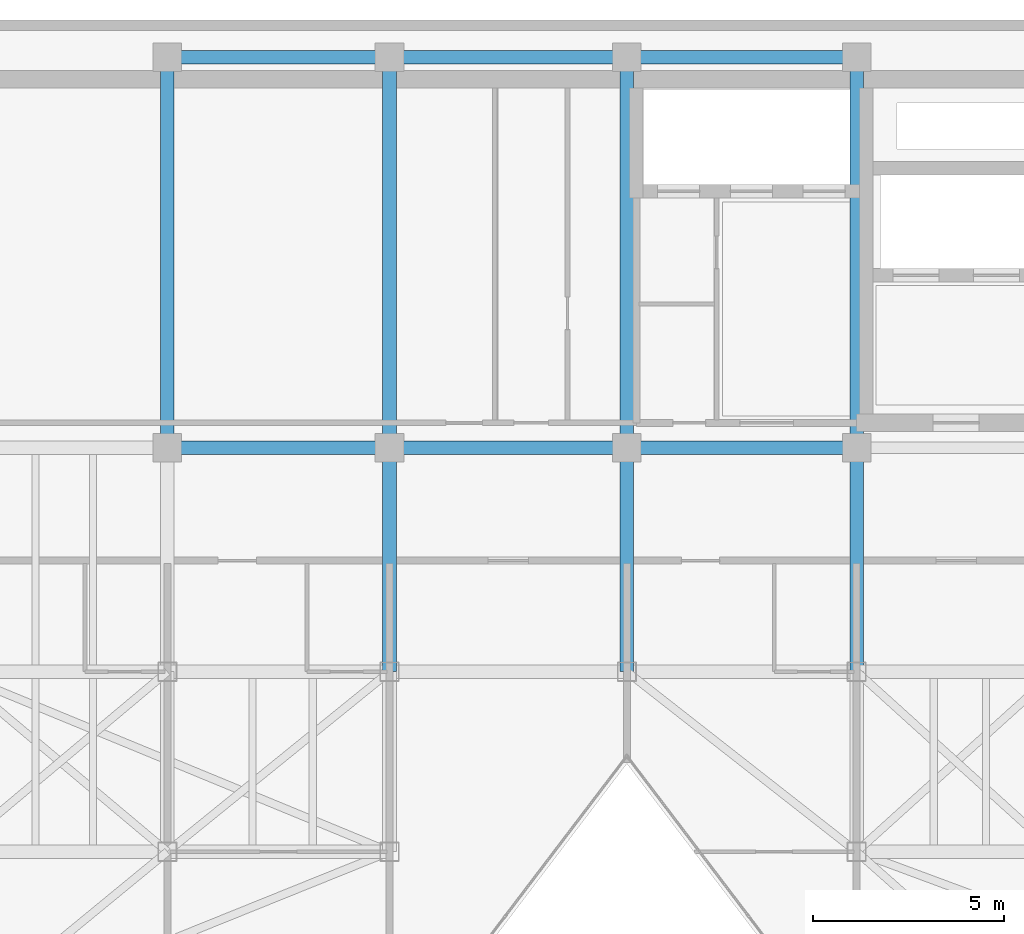
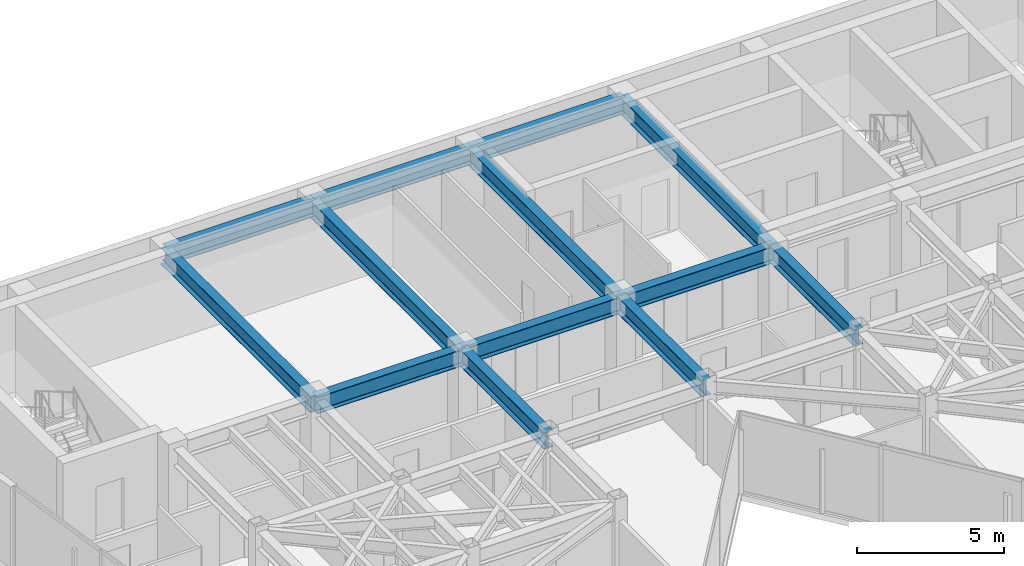
# One storey, part 11 of 20: 13 beams.
"""IFC4 building model written with IfcOpenShell, lengths in metres."""

from ifc_helpers import new_model, si_unit, direction, frame, origin, origin_2d, place, context, subcontext, project, spatial, i_section, extrude, material, material_profile, profile_set, type_object, element, save


model = new_model("IFC4")

# Units and contexts
model_context = context("Model", 3, precision=1e-05, world=origin(), true_north=direction((0.0, 1.0)))
body_context = subcontext(model_context, "Body", "Model", "MODEL_VIEW")
ifc_project = project(units=[si_unit("LENGTHUNIT", "METRE"), si_unit("AREAUNIT", "SQUARE_METRE"), si_unit("VOLUMEUNIT", "CUBIC_METRE"), si_unit("PLANEANGLEUNIT", "RADIAN"), si_unit("MASSUNIT", "GRAM", prefix="KILO")], contexts=[model_context])

# Site, building, storey
site_placement = place(None, origin())
site = spatial("IfcSite", under=ifc_project, at=site_placement, CompositionType="ELEMENT")
building_placement = place(site_placement, origin())
building = spatial("IfcBuilding", under=site, at=building_placement, Name="Kravanh Interchange Tower", CompositionType="ELEMENT")
storey_placement = place(building_placement, frame((0.0, 0.0, 238.199951171875)))
storey = spatial("IfcBuildingStorey", under=building, at=storey_placement, Name="L57", CompositionType="ELEMENT", Elevation=238.199951171875)

# Beams
ifc_material = material(Name="Structural Steel S355", Category="steel")
ifc_material_profile = material_profile(ifc_material, i_section(OverallWidth=0.35498046875, OverallDepth=0.696044921875, WebThickness=0.015380859375, FlangeThickness=0.02490234375, FilletRadius=0.02392578125, at=origin_2d()), Name="W27X146")
ifc_profile_set = profile_set([ifc_material_profile], Name="Structural Steel S355")
beam_type = type_object("IfcBeamType", Name="Floor Beam W27X146 Structural Steel S355", PredefinedType="BEAM", material=ifc_profile_set)
for number, where, z_axis, x_axis, name in (
    (1, (44.800048828125, 31.5, 3.011962890625), (0.0, 1.0, 0.0), (-1.0, 0.0, 0.0), "L57 Primary Floor Girder 1"),
    (2, (50.800048828125, 31.5, 3.011962890625), (0.0, 1.0, 0.0), (-1.0, 0.0, 0.0), "L57 Primary Floor Girder 7"),
    (3, (38.60009765625, 31.5, 3.011962890625), (0.0, 1.0, 0.0), (-1.0, 0.0, 0.0), "L57 Primary Floor Girder 19"),
):
    element("IfcBeam", number, at=place(storey_placement, frame(where, z_axis=z_axis, x_axis=x_axis)), inside=storey, type_object=beam_type, Name=name, PredefinedType="BEAM", context=body_context, shape_type="SweptSolid", body=[
        extrude(i_section(OverallWidth=0.35498046875, OverallDepth=0.696044921875, WebThickness=0.015380859375, FlangeThickness=0.02490234375, FilletRadius=0.02392578125, at=origin_2d()), origin(), (0.0, 0.0, 1.0), 5.85009765625),
    ])
beam_1_placement = place(storey_placement, frame((50.800048828125, 47.550048828125, 3.011962890625), z_axis=(-1.0, 0.0, 0.0), x_axis=(0.0, -1.0, 0.0)))
element("IfcBeam", 4, at=beam_1_placement, inside=storey, type_object=beam_type, Name="L57 Primary Floor Girder 49", PredefinedType="BEAM", context=body_context, shape_type="SweptSolid", body=[
    extrude(i_section(OverallWidth=0.35498046875, OverallDepth=0.696044921875, WebThickness=0.015380859375, FlangeThickness=0.02490234375, FilletRadius=0.02392578125, at=origin_2d()), origin(), (0.0, 0.0, 1.0), 6.0),
])
beam_2_placement = place(storey_placement, frame((50.800048828125, 47.550048828125, 3.011962890625), z_axis=(0.0, -1.0, 0.0), x_axis=(1.0, 0.0, 0.0)))
element("IfcBeam", 5, at=beam_2_placement, inside=storey, type_object=beam_type, Name="L57 Primary Floor Girder 50", PredefinedType="BEAM", context=body_context, shape_type="SweptSolid", body=[
    extrude(i_section(OverallWidth=0.35498046875, OverallDepth=0.696044921875, WebThickness=0.015380859375, FlangeThickness=0.02490234375, FilletRadius=0.02392578125, at=origin_2d()), origin(), (0.0, 0.0, 1.0), 10.199951171875),
])
beam_3_placement = place(storey_placement, frame((50.800048828125, 37.35009765625, 3.011962890625), z_axis=(-1.0, 0.0, 0.0), x_axis=(0.0, -1.0, 0.0)))
element("IfcBeam", 6, at=beam_3_placement, inside=storey, type_object=beam_type, Name="L57 Primary Floor Girder 51", PredefinedType="BEAM", context=body_context, shape_type="SweptSolid", body=[
    extrude(i_section(OverallWidth=0.35498046875, OverallDepth=0.696044921875, WebThickness=0.015380859375, FlangeThickness=0.02490234375, FilletRadius=0.02392578125, at=origin_2d()), origin(), (0.0, 0.0, 1.0), 6.0),
])
beam_4_placement = place(storey_placement, frame((44.800048828125, 37.35009765625, 3.011962890625), z_axis=(-1.0, 0.0, 0.0), x_axis=(0.0, -1.0, 0.0)))
element("IfcBeam", 7, at=beam_4_placement, inside=storey, type_object=beam_type, Name="L57 Primary Floor Girder 52", PredefinedType="BEAM", context=body_context, shape_type="SweptSolid", body=[
    extrude(i_section(OverallWidth=0.35498046875, OverallDepth=0.696044921875, WebThickness=0.015380859375, FlangeThickness=0.02490234375, FilletRadius=0.02392578125, at=origin_2d()), origin(), (0.0, 0.0, 1.0), 6.199951171875),
])
beam_5_placement = place(storey_placement, frame((44.800048828125, 37.35009765625, 3.011962890625), z_axis=(0.0, 1.0, 0.0), x_axis=(-1.0, 0.0, 0.0)))
element("IfcBeam", 8, at=beam_5_placement, inside=storey, type_object=beam_type, Name="L57 Primary Floor Girder 53", PredefinedType="BEAM", context=body_context, shape_type="SweptSolid", body=[
    extrude(i_section(OverallWidth=0.35498046875, OverallDepth=0.696044921875, WebThickness=0.015380859375, FlangeThickness=0.02490234375, FilletRadius=0.02392578125, at=origin_2d()), origin(), (0.0, 0.0, 1.0), 10.199951171875),
])
beam_6_placement = place(storey_placement, frame((44.800048828125, 47.550048828125, 3.011962890625), z_axis=(-1.0, 0.0, 0.0), x_axis=(0.0, -1.0, 0.0)))
element("IfcBeam", 9, at=beam_6_placement, inside=storey, type_object=beam_type, Name="L57 Primary Floor Girder 54", PredefinedType="BEAM", context=body_context, shape_type="SweptSolid", body=[
    extrude(i_section(OverallWidth=0.35498046875, OverallDepth=0.696044921875, WebThickness=0.015380859375, FlangeThickness=0.02490234375, FilletRadius=0.02392578125, at=origin_2d()), origin(), (0.0, 0.0, 1.0), 6.199951171875),
])
beam_7_placement = place(storey_placement, frame((38.60009765625, 37.35009765625, 3.011962890625), z_axis=(-1.0, 0.0, 0.0), x_axis=(0.0, -1.0, 0.0)))
element("IfcBeam", 10, at=beam_7_placement, inside=storey, type_object=beam_type, Name="L57 Primary Floor Girder 55", PredefinedType="BEAM", context=body_context, shape_type="SweptSolid", body=[
    extrude(i_section(OverallWidth=0.35498046875, OverallDepth=0.696044921875, WebThickness=0.015380859375, FlangeThickness=0.02490234375, FilletRadius=0.02392578125, at=origin_2d()), origin(), (0.0, 0.0, 1.0), 5.800048828125),
])
beam_8_placement = place(storey_placement, frame((38.60009765625, 37.35009765625, 3.011962890625), z_axis=(0.0, 1.0, 0.0), x_axis=(-1.0, 0.0, 0.0)))
element("IfcBeam", 11, at=beam_8_placement, inside=storey, type_object=beam_type, Name="L57 Primary Floor Girder 56", PredefinedType="BEAM", context=body_context, shape_type="SweptSolid", body=[
    extrude(i_section(OverallWidth=0.35498046875, OverallDepth=0.696044921875, WebThickness=0.015380859375, FlangeThickness=0.02490234375, FilletRadius=0.02392578125, at=origin_2d()), origin(), (0.0, 0.0, 1.0), 10.199951171875),
])
beam_9_placement = place(storey_placement, frame((38.60009765625, 47.550048828125, 3.011962890625), z_axis=(-1.0, 0.0, 0.0), x_axis=(0.0, -1.0, 0.0)))
element("IfcBeam", 12, at=beam_9_placement, inside=storey, type_object=beam_type, Name="L57 Primary Floor Girder 57", PredefinedType="BEAM", context=body_context, shape_type="SweptSolid", body=[
    extrude(i_section(OverallWidth=0.35498046875, OverallDepth=0.696044921875, WebThickness=0.015380859375, FlangeThickness=0.02490234375, FilletRadius=0.02392578125, at=origin_2d()), origin(), (0.0, 0.0, 1.0), 5.800048828125),
])
beam_10_placement = place(storey_placement, frame((32.800048828125, 37.35009765625, 3.011962890625), z_axis=(0.0, 1.0, 0.0), x_axis=(-1.0, 0.0, 0.0)))
element("IfcBeam", 13, at=beam_10_placement, inside=storey, type_object=beam_type, Name="L57 Primary Floor Girder 59", PredefinedType="BEAM", context=body_context, shape_type="SweptSolid", body=[
    extrude(i_section(OverallWidth=0.35498046875, OverallDepth=0.696044921875, WebThickness=0.015380859375, FlangeThickness=0.02490234375, FilletRadius=0.02392578125, at=origin_2d()), origin(), (0.0, 0.0, 1.0), 10.199951171875),
])

save(model, "model.ifc")
